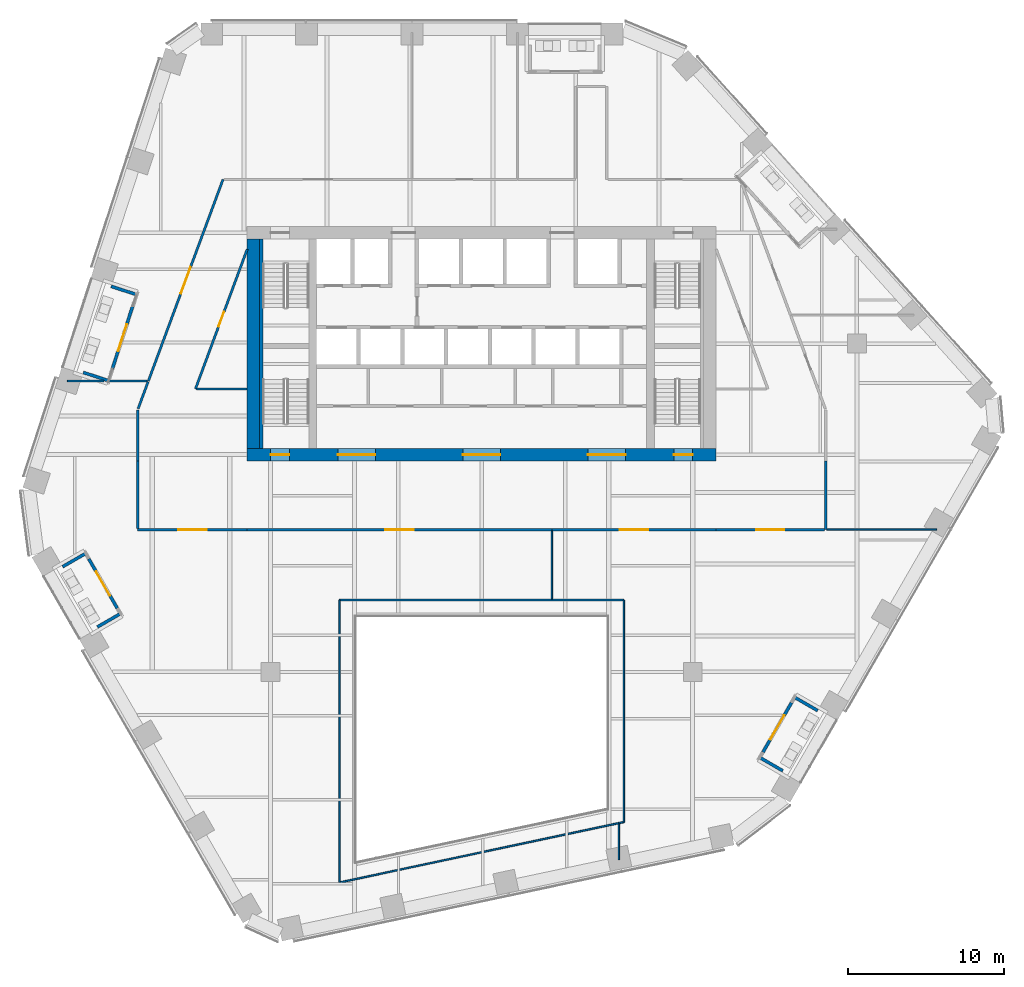
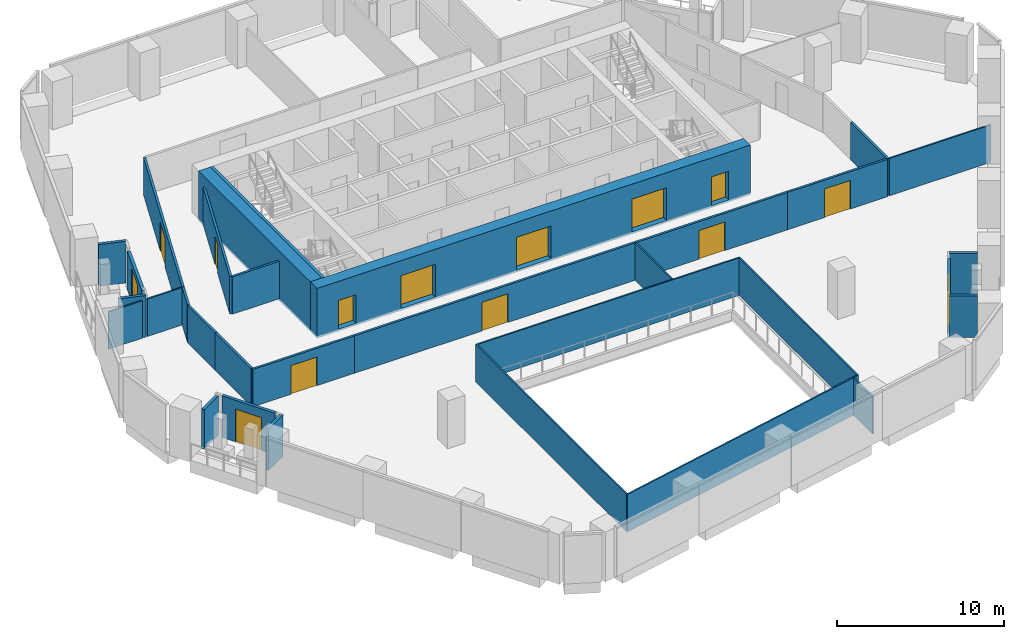
# One storey, part 17 of 24: 32 walls, 14 doors, 14 openings.
"""IFC4 building model written with IfcOpenShell, lengths in metres."""

from ifc_helpers import new_model, si_unit, direction, frame, frame_2d, origin, place, context, subcontext, project, spatial, rectangle, extrude, material, layer, layer_set, type_object, element, fill, save


model = new_model("IFC4")

# Units and contexts
model_context = context("Model", 3, precision=1e-05, world=origin(), true_north=direction((0.0, 1.0)))
body_context = subcontext(model_context, "Body", "Model", "MODEL_VIEW")
ifc_project = project(units=[si_unit("LENGTHUNIT", "METRE"), si_unit("AREAUNIT", "SQUARE_METRE"), si_unit("VOLUMEUNIT", "CUBIC_METRE"), si_unit("PLANEANGLEUNIT", "RADIAN"), si_unit("MASSUNIT", "GRAM", prefix="KILO")], contexts=[model_context])

# Site, building, storey
site_placement = place(None, origin())
site = spatial("IfcSite", under=ifc_project, at=site_placement, CompositionType="ELEMENT")
building_placement = place(site_placement, origin())
building = spatial("IfcBuilding", under=site, at=building_placement, Name="Isthmus Gate Tower", CompositionType="ELEMENT")
storey_placement = place(building_placement, frame((0.0, 0.0, 159.0)))
storey = spatial("IfcBuildingStorey", under=building, at=storey_placement, Name="L39", CompositionType="ELEMENT", Elevation=159.0)

# Walls
ifc_material_1 = material(Name="Fire-rated laminated glass in steel frame", Category="steel")
ifc_layer_1 = layer(ifc_material_1, 0.10009765625)
ifc_layer_set_1 = layer_set([ifc_layer_1], Name="ATRIUM SCREEN GLAZED WALL 100 120 MIN")
wall_type_1 = type_object("IfcWallType", Name="ATRIUM SCREEN GLAZED WALL 100 120 MIN", PredefinedType="PARTITIONING", material=ifc_layer_set_1)
wall_1_placement = place(storey_placement, frame((-9.10009765625, -8.89990234375, 0.0), z_axis=(0.0, 0.0, 1.0), x_axis=(1.0, 0.0, 0.0)))
element("IfcWall", 1, at=wall_1_placement, inside=storey, type_object=wall_type_1, Name="L39 atrium screen", PredefinedType="PARTITIONING", context=body_context, shape_type="SweptSolid", body=[
    extrude(rectangle(XDim=18.2001953125, YDim=0.10009765625, at=frame_2d((9.10009765625, 0.0))), origin(), (0.0, 0.0, 1.0), 2.7412109375),
])
wall_2_placement = place(storey_placement, frame((9.10009765625, -8.89990234375, 0.0), z_axis=(0.0, 0.0, 1.0), x_axis=(0.0, -1.0, 0.0)))
element("IfcWall", 2, at=wall_2_placement, inside=storey, type_object=wall_type_1, Name="L39 atrium screen", PredefinedType="PARTITIONING", context=body_context, shape_type="SweptSolid", body=[
    extrude(rectangle(XDim=14.200927734375, YDim=0.10009765625, at=frame_2d((7.1005859375, 0.0))), origin(), (0.0, 0.0, 1.0), 2.7412109375),
])
wall_3_placement = place(storey_placement, frame((9.10009765625, -23.100830078125, 0.0), z_axis=(0.0, 0.0, 1.0), x_axis=(-0.978146710971, -0.207915876778, 0.0)))
element("IfcWall", 3, at=wall_3_placement, inside=storey, type_object=wall_type_1, Name="L39 atrium screen", PredefinedType="PARTITIONING", context=body_context, shape_type="SweptSolid", body=[
    extrude(rectangle(XDim=18.60693359375, YDim=0.10009765625, at=frame_2d((9.303466796875, 0.0))), origin(), (0.0, 0.0, 1.0), 2.7412109375),
])
wall_4_placement = place(storey_placement, frame((-9.10009765625, -26.969482421875, 0.0), z_axis=(0.0, 0.0, 1.0), x_axis=(0.0, 1.0, 0.0)))
element("IfcWall", 4, at=wall_4_placement, inside=storey, type_object=wall_type_1, Name="L39 atrium screen", PredefinedType="PARTITIONING", context=body_context, shape_type="SweptSolid", body=[
    extrude(rectangle(XDim=18.069580078125, YDim=0.10009765625, at=frame_2d((9.03466796875, 0.0))), origin(), (0.0, 0.0, 1.0), 2.7412109375),
])

# Wall, opening, door
ifc_material_2 = material(Name="Gypsum board on steel studs, fire-rated", Category="steel")
ifc_layer_2 = layer(ifc_material_2, 0.14990234375)
ifc_layer_set_2 = layer_set([ifc_layer_2], Name="CORRIDOR WALL 150 60 MIN")
wall_type_2 = type_object("IfcWallType", Name="CORRIDOR WALL 150 60 MIN", PredefinedType="PARTITIONING", material=ifc_layer_set_2)
wall_5_placement = place(storey_placement, frame((4.4951171875, -4.39990234375, 0.0), z_axis=(0.0, 0.0, 1.0), x_axis=(-1.0, 0.0, 0.0)))
wall_5 = element("IfcWall", 5, at=wall_5_placement, inside=storey, type_object=wall_type_2, Name="L39 Corridor Wall 150 60 Min", PredefinedType="PARTITIONING", context=body_context, shape_type="SweptSolid", body=[
    extrude(rectangle(XDim=19.4951171875, YDim=0.14990234375, at=frame_2d((9.74755859375, 0.0))), origin(), (0.0, 0.0, 1.0), 2.7412109375),
])
opening_1_placement = place(wall_5_placement, frame((8.847412109375, 0.0, 0.0)))
opening_1 = element("IfcOpeningElement", 6, at=opening_1_placement, cuts=wall_5, Name="Opening DT-T3D-09", PredefinedType="OPENING", context=body_context, shape_type="SweptSolid", body=[
    extrude(rectangle(XDim=1.800048828125, YDim=2.10009765625, at=frame_2d((0.89990234375, 1.050048828125))), frame((0.0, 0.0849609375, 0.0), z_axis=(0.0, -1.0, 0.0), x_axis=(1.0, 0.0, 0.0)), (0.0, 0.0, 1.0), 0.169921875),
])
ifc_material_3 = material(Name="Solid core timber door leaf, fire-rated", Category="wood")
door_type_1 = type_object("IfcDoorType", Name="FIRE DOOR ROOM 1800 X 2100 60 MIN", OperationType="DOUBLE_DOOR_DOUBLE_SWING", PredefinedType="DOOR", material=ifc_material_3)
door_1_placement = place(opening_1_placement, origin())
door_1 = element("IfcDoor", 7, at=door_1_placement, inside=storey, type_object=door_type_1, Name="L39 room door", OperationType="DOUBLE_DOOR_DOUBLE_SWING", OverallHeight=2.10009765625, OverallWidth=1.800048828125, PredefinedType="DOOR", context=body_context, shape_type="SweptSolid", body=[
    extrude(rectangle(XDim=1.800048828125, YDim=2.10009765625, at=frame_2d((0.89990234375, 1.050048828125))), frame((0.0, 0.02490234375, 0.0), z_axis=(0.0, -1.0, 0.0), x_axis=(1.0, 0.0, 0.0)), (0.0, 0.0, 1.0), 0.050048828125),
])
fill(opening_1, door_1)

wall_6_placement = place(storey_placement, frame((15.0, -4.39990234375, 0.0), z_axis=(0.0, 0.0, 1.0), x_axis=(-1.0, 0.0, 0.0)))
wall_6 = element("IfcWall", 8, at=wall_6_placement, inside=storey, type_object=wall_type_2, Name="L39 Corridor Wall 150 60 Min", PredefinedType="PARTITIONING", context=body_context, shape_type="SweptSolid", body=[
    extrude(rectangle(XDim=10.5048828125, YDim=0.14990234375, at=frame_2d((5.25244140625, 0.0))), origin(), (0.0, 0.0, 1.0), 2.7412109375),
])
opening_2_placement = place(wall_6_placement, frame((4.3525390625, 0.0, 0.0)))
opening_2 = element("IfcOpeningElement", 9, at=opening_2_placement, cuts=wall_6, Name="Opening DT-T3D-11", PredefinedType="OPENING", context=body_context, shape_type="SweptSolid", body=[
    extrude(rectangle(XDim=1.800048828125, YDim=2.10009765625, at=frame_2d((0.89990234375, 1.050048828125))), frame((0.0, 0.0849609375, 0.0), z_axis=(0.0, -1.0, 0.0), x_axis=(1.0, 0.0, 0.0)), (0.0, 0.0, 1.0), 0.169921875),
])
door_2_placement = place(opening_2_placement, origin())
door_2 = element("IfcDoor", 10, at=door_2_placement, inside=storey, type_object=door_type_1, Name="L39 room door", OperationType="DOUBLE_DOOR_DOUBLE_SWING", OverallHeight=2.10009765625, OverallWidth=1.800048828125, PredefinedType="DOOR", context=body_context, shape_type="SweptSolid", body=[
    extrude(rectangle(XDim=1.800048828125, YDim=2.10009765625, at=frame_2d((0.89990234375, 1.050048828125))), frame((0.0, 0.02490234375, 0.0), z_axis=(0.0, -1.0, 0.0), x_axis=(1.0, 0.0, 0.0)), (0.0, 0.0, 1.0), 0.050048828125),
])
fill(opening_2, door_2)

# Wall
wall_7_placement = place(storey_placement, frame((22.0, 0.0, 0.0), z_axis=(0.0, 0.0, 1.0), x_axis=(0.0, -1.0, 0.0)))
element("IfcWall", 11, at=wall_7_placement, inside=storey, type_object=wall_type_2, Name="L39 Corridor Wall 150 60 Min", PredefinedType="PARTITIONING", context=body_context, shape_type="SweptSolid", body=[
    extrude(rectangle(XDim=4.39990234375, YDim=0.14990234375, at=frame_2d((2.199951171875, 0.0))), origin(), (0.0, 0.0, 1.0), 2.7412109375),
])

# Wall, opening, door
wall_8_placement = place(storey_placement, frame((21.925048828125, -4.39990234375, 0.0), z_axis=(0.0, 0.0, 1.0), x_axis=(-1.0, 0.0, 0.0)))
wall_8 = element("IfcWall", 12, at=wall_8_placement, inside=storey, type_object=wall_type_2, Name="L39 Corridor Wall 150 60 Min", PredefinedType="PARTITIONING", context=body_context, shape_type="SweptSolid", body=[
    extrude(rectangle(XDim=6.925048828125, YDim=0.14990234375, at=frame_2d((3.46240234375, 0.0))), origin(), (0.0, 0.0, 1.0), 2.7412109375),
])
opening_3_placement = place(wall_8_placement, frame((2.5625, 0.0, 0.0)))
opening_3 = element("IfcOpeningElement", 13, at=opening_3_placement, cuts=wall_8, Name="Opening DT-T3D-12", PredefinedType="OPENING", context=body_context, shape_type="SweptSolid", body=[
    extrude(rectangle(XDim=1.800048828125, YDim=2.10009765625, at=frame_2d((0.89990234375, 1.050048828125))), frame((0.0, 0.0849609375, 0.0), z_axis=(0.0, -1.0, 0.0), x_axis=(1.0, 0.0, 0.0)), (0.0, 0.0, 1.0), 0.169921875),
])
door_3_placement = place(opening_3_placement, origin())
door_3 = element("IfcDoor", 14, at=door_3_placement, inside=storey, type_object=door_type_1, Name="L39 room door", OperationType="DOUBLE_DOOR_DOUBLE_SWING", OverallHeight=2.10009765625, OverallWidth=1.800048828125, PredefinedType="DOOR", context=body_context, shape_type="SweptSolid", body=[
    extrude(rectangle(XDim=1.800048828125, YDim=2.10009765625, at=frame_2d((0.89990234375, 1.050048828125))), frame((0.0, 0.02490234375, 0.0), z_axis=(0.0, -1.0, 0.0), x_axis=(1.0, 0.0, 0.0)), (0.0, 0.0, 1.0), 0.050048828125),
])
fill(opening_3, door_3)

wall_9_placement = place(storey_placement, frame((-15.0, -4.39990234375, 0.0), z_axis=(0.0, 0.0, 1.0), x_axis=(-1.0, 0.0, 0.0)))
wall_9 = element("IfcWall", 15, at=wall_9_placement, inside=storey, type_object=wall_type_2, Name="L39 Corridor Wall 150 60 Min", PredefinedType="PARTITIONING", context=body_context, shape_type="SweptSolid", body=[
    extrude(rectangle(XDim=7.0, YDim=0.14990234375, at=frame_2d((3.5, 0.0))), origin(), (0.0, 0.0, 1.0), 2.7412109375),
])
opening_4_placement = place(wall_9_placement, frame((2.60009765625, 0.0, 0.0)))
opening_4 = element("IfcOpeningElement", 16, at=opening_4_placement, cuts=wall_9, Name="Opening DT-T3D-10", PredefinedType="OPENING", context=body_context, shape_type="SweptSolid", body=[
    extrude(rectangle(XDim=1.800048828125, YDim=2.10009765625, at=frame_2d((0.89990234375, 1.050048828125))), frame((0.0, 0.0849609375, 0.0), z_axis=(0.0, -1.0, 0.0), x_axis=(1.0, 0.0, 0.0)), (0.0, 0.0, 1.0), 0.169921875),
])
door_4_placement = place(opening_4_placement, origin())
door_4 = element("IfcDoor", 17, at=door_4_placement, inside=storey, type_object=door_type_1, Name="L39 room door", OperationType="DOUBLE_DOOR_DOUBLE_SWING", OverallHeight=2.10009765625, OverallWidth=1.800048828125, PredefinedType="DOOR", context=body_context, shape_type="SweptSolid", body=[
    extrude(rectangle(XDim=1.800048828125, YDim=2.10009765625, at=frame_2d((0.89990234375, 1.050048828125))), frame((0.0, 0.02490234375, 0.0), z_axis=(0.0, -1.0, 0.0), x_axis=(1.0, 0.0, 0.0)), (0.0, 0.0, 1.0), 0.050048828125),
])
fill(opening_4, door_4)

wall_10_placement = place(storey_placement, frame((-15.0, 13.531005859375, 0.0), z_axis=(0.0, 0.0, 1.0), x_axis=(-0.347347751601, -0.937736391241, 0.0)))
wall_10 = element("IfcWall", 18, at=wall_10_placement, inside=storey, type_object=wall_type_2, Name="L39 Corridor Wall 150 60 Min", PredefinedType="PARTITIONING", context=body_context, shape_type="SweptSolid", body=[
    extrude(rectangle(XDim=9.52392578125, YDim=0.14990234375, at=frame_2d((4.761962890625, 0.0))), origin(), (0.0, 0.0, 1.0), 2.7412109375),
])
opening_5_placement = place(wall_10_placement, frame((4.261962890625, 0.0, 0.0)))
opening_5 = element("IfcOpeningElement", 19, at=opening_5_placement, cuts=wall_10, Name="Opening DT-T3D-06", PredefinedType="OPENING", context=body_context, shape_type="SweptSolid", body=[
    extrude(rectangle(XDim=1.0, YDim=2.10009765625, at=frame_2d((0.5, 1.050048828125))), frame((0.0, 0.0849609375, 0.0), z_axis=(0.0, -1.0, 0.0), x_axis=(1.0, 0.0, 0.0)), (0.0, 0.0, 1.0), 0.169921875),
])
ifc_material_4 = material(Name="Solid core timber door leaf, fire-rated", Category="wood")
door_type_2 = type_object("IfcDoorType", Name="FIRE DOOR ROOM 1000 X 2100 60 MIN", OperationType="SINGLE_SWING_LEFT", PredefinedType="DOOR", material=ifc_material_4)
door_5_placement = place(opening_5_placement, origin())
door_5 = element("IfcDoor", 20, at=door_5_placement, inside=storey, type_object=door_type_2, Name="L39 room door", OperationType="SINGLE_SWING_RIGHT", OverallHeight=2.10009765625, OverallWidth=1.0, PredefinedType="DOOR", context=body_context, shape_type="SweptSolid", body=[
    extrude(rectangle(XDim=1.0, YDim=2.10009765625, at=frame_2d((0.5, 1.050048828125))), frame((0.0, 0.02490234375, 0.0), z_axis=(0.0, -1.0, 0.0), x_axis=(1.0, 0.0, 0.0)), (0.0, 0.0, 1.0), 0.050048828125),
])
fill(opening_5, door_5)

wall_11_placement = place(storey_placement, frame((-21.318115234375, 5.111083984375, 0.0), z_axis=(0.0, 0.0, 1.0), x_axis=(0.347346173898, 0.937736975638, 0.0)))
wall_11 = element("IfcWall", 21, at=wall_11_placement, inside=storey, type_object=wall_type_2, Name="L39 Corridor Wall 150 60 Min", PredefinedType="PARTITIONING", context=body_context, shape_type="SweptSolid", body=[
    extrude(rectangle(XDim=13.74462890625, YDim=0.14990234375, at=frame_2d((6.872314453125, 0.0))), origin(), (0.0, 0.0, 1.0), 2.7412109375),
])
opening_6_placement = place(wall_11_placement, frame((5.972412109375, 0.0, 0.0)))
opening_6 = element("IfcOpeningElement", 22, at=opening_6_placement, cuts=wall_11, Name="Opening DT-T3D-03", PredefinedType="OPENING", context=body_context, shape_type="SweptSolid", body=[
    extrude(rectangle(XDim=1.800048828125, YDim=2.10009765625, at=frame_2d((0.89990234375, 1.050048828125))), frame((0.0, 0.0849609375, 0.0), z_axis=(0.0, -1.0, 0.0), x_axis=(1.0, 0.0, 0.0)), (0.0, 0.0, 1.0), 0.169921875),
])
door_6_placement = place(opening_6_placement, origin())
door_6 = element("IfcDoor", 23, at=door_6_placement, inside=storey, type_object=door_type_1, Name="L39 room door", OperationType="DOUBLE_DOOR_DOUBLE_SWING", OverallHeight=2.10009765625, OverallWidth=1.800048828125, PredefinedType="DOOR", context=body_context, shape_type="SweptSolid", body=[
    extrude(rectangle(XDim=1.800048828125, YDim=2.10009765625, at=frame_2d((0.89990234375, 1.050048828125))), frame((0.0, 0.02490234375, 0.0), z_axis=(0.0, -1.0, 0.0), x_axis=(1.0, 0.0, 0.0)), (0.0, 0.0, 1.0), 0.050048828125),
])
fill(opening_6, door_6)

# Walls
wall_12_placement = place(storey_placement, frame((-18.22802734375, 4.60009765625, 0.0), z_axis=(0.0, 0.0, 1.0), x_axis=(1.0, 0.0, 0.0)))
element("IfcWall", 24, at=wall_12_placement, inside=storey, type_object=wall_type_2, Name="L39 Corridor Wall 150 60 Min", PredefinedType="PARTITIONING", context=body_context, shape_type="SweptSolid", body=[
    extrude(rectangle(XDim=3.22802734375, YDim=0.14990234375, at=frame_2d((1.614013671875, 0.0))), origin(), (0.0, 0.0, 1.0), 2.7412109375),
])
wall_13_placement = place(storey_placement, frame((-22.0, -4.324951171875, 0.0), z_axis=(0.0, 0.0, 1.0), x_axis=(0.0, 1.0, 0.0)))
element("IfcWall", 25, at=wall_13_placement, inside=storey, type_object=wall_type_2, Name="L39 Corridor Wall 150 60 Min", PredefinedType="PARTITIONING", context=body_context, shape_type="SweptSolid", body=[
    extrude(rectangle(XDim=4.324951171875, YDim=0.14990234375, at=frame_2d((2.16259765625, 0.0))), origin(), (0.0, 0.0, 1.0), 2.7412109375),
])
wall_14_placement = place(storey_placement, frame((-22.0, 0.0, 0.0), z_axis=(0.0, 0.0, 1.0), x_axis=(0.0, 1.0, 0.0)))
element("IfcWall", 26, at=wall_14_placement, inside=storey, type_object=wall_type_2, Name="L39 Corridor Wall 150 60 Min", PredefinedType="PARTITIONING", context=body_context, shape_type="SweptSolid", body=[
    extrude(rectangle(XDim=3.26904296875, YDim=0.14990234375, at=frame_2d((1.634521484375, 0.0))), origin(), (0.0, 0.0, 1.0), 2.7412109375),
])
wall_15_placement = place(storey_placement, frame((-21.97412109375, 3.33935546875, 0.0), z_axis=(0.0, 0.0, 1.0), x_axis=(0.347236538536, 0.93777757827, 0.0)))
element("IfcWall", 27, at=wall_15_placement, inside=storey, type_object=wall_type_2, Name="L39 Corridor Wall 150 60 Min", PredefinedType="PARTITIONING", context=body_context, shape_type="SweptSolid", body=[
    extrude(rectangle(XDim=1.83935546875, YDim=0.14990234375, at=frame_2d((0.919677734375, 0.0))), origin(), (0.0, 0.0, 1.0), 2.7412109375),
])

# Wall, opening, door
ifc_material_5 = material(Name="Precast concrete C40/50", Category="concrete")
ifc_layer_3 = layer(ifc_material_5, 0.199951171875)
ifc_layer_set_3 = layer_set([ifc_layer_3], Name="LOGGIA WALL 200")
wall_type_3 = type_object("IfcWallType", Name="LOGGIA WALL 200", PredefinedType="SOLIDWALL", material=ifc_layer_set_3)
wall_16_placement = place(storey_placement, frame((-22.327392578125, 9.881591796875, 0.0), z_axis=(0.0, 0.0, 1.0), x_axis=(-0.30901640812, -0.951056706781, 0.0)))
wall_16 = element("IfcWall", 28, at=wall_16_placement, inside=storey, type_object=wall_type_3, Name="LOGGIA BACK WALL", PredefinedType="SOLIDWALL", context=body_context, shape_type="SweptSolid", body=[
    extrude(rectangle(XDim=4.199951171875, YDim=0.199951171875, at=frame_2d((2.10009765625, 0.0))), origin(), (0.0, 0.0, 1.0), 2.820556640625),
])
opening_7_placement = place(wall_16_placement, frame((1.199951171875, 0.0, 0.0)))
opening_7 = element("IfcOpeningElement", 29, at=opening_7_placement, cuts=wall_16, Name="Opening DE39-02", PredefinedType="OPENING", context=body_context, shape_type="SweptSolid", body=[
    extrude(rectangle(XDim=1.800048828125, YDim=2.39990234375, at=frame_2d((0.89990234375, 1.199951171875))), frame((0.0, 0.10986328125, 0.0), z_axis=(0.0, -1.0, 0.0), x_axis=(1.0, 0.0, 0.0)), (0.0, 0.0, 1.0), 0.219970703125),
])
ifc_material_6 = material(Name="Aluminium, pale champagne anodised, laminated glass", Category="aluminium")
door_type_3 = type_object("IfcDoorType", Name="LOGGIA DOOR SLIDING 1800 X 2400", OperationType="DOUBLE_DOOR_SLIDING", PredefinedType="DOOR", material=ifc_material_6)
door_7_placement = place(opening_7_placement, origin())
door_7 = element("IfcDoor", 30, at=door_7_placement, inside=storey, type_object=door_type_3, Name="DOOR DE39-02", OperationType="SINGLE_SWING_LEFT", OverallHeight=2.39990234375, OverallWidth=1.800048828125, PredefinedType="DOOR", context=body_context, shape_type="SweptSolid", body=[
    extrude(rectangle(XDim=1.800048828125, YDim=2.39990234375, at=frame_2d((0.89990234375, 1.199951171875))), frame((0.0, 0.02490234375, 0.0), z_axis=(0.0, -1.0, 0.0), x_axis=(1.0, 0.0, 0.0)), (0.0, 0.0, 1.0), 0.050048828125),
])
fill(opening_7, door_7)

# Walls
wall_17_placement = place(storey_placement, frame((-23.6982421875, 11.163330078125, 0.0), z_axis=(0.0, 0.0, 1.0), x_axis=(0.951076677115, -0.308954938862, 0.0)))
element("IfcWall", 31, at=wall_17_placement, inside=storey, type_object=wall_type_3, Name="LOGGIA SIDE WALL", PredefinedType="SOLIDWALL", context=body_context, shape_type="SweptSolid", body=[
    extrude(rectangle(XDim=1.683837890625, YDim=0.199951171875, at=frame_2d((0.841796875, 0.0))), origin(), (0.0, 0.0, 1.0), 3.050048828125),
])
wall_18_placement = place(storey_placement, frame((-25.48779296875, 5.656005859375, 0.0), z_axis=(0.0, 0.0, 1.0), x_axis=(0.951034068731, -0.309086072338, 0.0)))
element("IfcWall", 32, at=wall_18_placement, inside=storey, type_object=wall_type_3, Name="LOGGIA SIDE WALL", PredefinedType="SOLIDWALL", context=body_context, shape_type="SweptSolid", body=[
    extrude(rectangle(XDim=1.68408203125, YDim=0.199951171875, at=frame_2d((0.842041015625, 0.0))), origin(), (0.0, 0.0, 1.0), 3.050048828125),
])

# Wall, opening, door
wall_19_placement = place(storey_placement, frame((-25.13330078125, -6.267822265625, 0.0), z_axis=(0.0, 0.0, 1.0), x_axis=(0.499973348067, -0.866040790738, 0.0)))
wall_19 = element("IfcWall", 33, at=wall_19_placement, inside=storey, type_object=wall_type_3, Name="LOGGIA BACK WALL", PredefinedType="SOLIDWALL", context=body_context, shape_type="SweptSolid", body=[
    extrude(rectangle(XDim=3.650146484375, YDim=0.199951171875, at=frame_2d((1.8251953125, 0.0))), origin(), (0.0, 0.0, 1.0), 3.050048828125),
])
opening_8_placement = place(wall_19_placement, frame((0.925048828125, 0.0, 0.0)))
opening_8 = element("IfcOpeningElement", 34, at=opening_8_placement, cuts=wall_19, Name="Opening DE39-03", PredefinedType="OPENING", context=body_context, shape_type="SweptSolid", body=[
    extrude(rectangle(XDim=1.800048828125, YDim=2.39990234375, at=frame_2d((0.89990234375, 1.199951171875))), frame((0.0, 0.10986328125, 0.0), z_axis=(0.0, -1.0, 0.0), x_axis=(1.0, 0.0, 0.0)), (0.0, 0.0, 1.0), 0.219970703125),
])
door_8_placement = place(opening_8_placement, origin())
door_8 = element("IfcDoor", 35, at=door_8_placement, inside=storey, type_object=door_type_3, Name="DOOR DE39-03", OperationType="SINGLE_SWING_LEFT", OverallHeight=2.39990234375, OverallWidth=1.800048828125, PredefinedType="DOOR", context=body_context, shape_type="SweptSolid", body=[
    extrude(rectangle(XDim=1.800048828125, YDim=2.39990234375, at=frame_2d((0.89990234375, 1.199951171875))), frame((0.0, 0.02490234375, 0.0), z_axis=(0.0, -1.0, 0.0), x_axis=(1.0, 0.0, 0.0)), (0.0, 0.0, 1.0), 0.050048828125),
])
fill(opening_8, door_8)

# Walls
wall_20_placement = place(storey_placement, frame((-26.8056640625, -6.771484375, 0.0), z_axis=(0.0, 0.0, 1.0), x_axis=(0.866031085144, 0.499990159468, 0.0)))
element("IfcWall", 36, at=wall_20_placement, inside=storey, type_object=wall_type_3, Name="LOGGIA SIDE WALL", PredefinedType="SOLIDWALL", context=body_context, shape_type="SweptSolid", body=[
    extrude(rectangle(XDim=1.68408203125, YDim=0.199951171875, at=frame_2d((0.842041015625, 0.0))), origin(), (0.0, 0.0, 1.0), 2.896728515625),
])
wall_21_placement = place(storey_placement, frame((-24.58056640625, -10.625244140625, 0.0), z_axis=(0.0, 0.0, 1.0), x_axis=(0.866093854468, 0.499881421193, 0.0)))
element("IfcWall", 37, at=wall_21_placement, inside=storey, type_object=wall_type_3, Name="LOGGIA SIDE WALL", PredefinedType="SOLIDWALL", context=body_context, shape_type="SweptSolid", body=[
    extrude(rectangle(XDim=1.68408203125, YDim=0.199951171875, at=frame_2d((0.842041015625, 0.0))), origin(), (0.0, 0.0, 1.0), 3.050048828125),
])

# Wall, opening, door
wall_22_placement = place(storey_placement, frame((17.994873046875, -18.632080078125, 0.0), z_axis=(0.0, 0.0, 1.0), x_axis=(0.499973348067, 0.866040790738, 0.0)))
wall_22 = element("IfcWall", 38, at=wall_22_placement, inside=storey, type_object=wall_type_3, Name="LOGGIA BACK WALL", PredefinedType="SOLIDWALL", context=body_context, shape_type="SweptSolid", body=[
    extrude(rectangle(XDim=3.650146484375, YDim=0.199951171875, at=frame_2d((1.8251953125, 0.0))), origin(), (0.0, 0.0, 1.0), 2.89990234375),
])
opening_9_placement = place(wall_22_placement, frame((0.925048828125, 0.0, 0.0)))
opening_9 = element("IfcOpeningElement", 39, at=opening_9_placement, cuts=wall_22, Name="Opening DE39-04", PredefinedType="OPENING", context=body_context, shape_type="SweptSolid", body=[
    extrude(rectangle(XDim=1.800048828125, YDim=2.39990234375, at=frame_2d((0.89990234375, 1.199951171875))), frame((0.0, 0.10986328125, 0.0), z_axis=(0.0, -1.0, 0.0), x_axis=(1.0, 0.0, 0.0)), (0.0, 0.0, 1.0), 0.219970703125),
])
door_9_placement = place(opening_9_placement, origin())
door_9 = element("IfcDoor", 40, at=door_9_placement, inside=storey, type_object=door_type_3, Name="DOOR DE39-04", OperationType="SINGLE_SWING_LEFT", OverallHeight=2.39990234375, OverallWidth=1.800048828125, PredefinedType="DOOR", context=body_context, shape_type="SweptSolid", body=[
    extrude(rectangle(XDim=1.800048828125, YDim=2.39990234375, at=frame_2d((0.89990234375, 1.199951171875))), frame((0.0, 0.02490234375, 0.0), z_axis=(0.0, -1.0, 0.0), x_axis=(1.0, 0.0, 0.0)), (0.0, 0.0, 1.0), 0.050048828125),
])
fill(opening_9, door_9)

# Walls
wall_23_placement = place(storey_placement, frame((19.26708984375, -19.82861328125, 0.0), z_axis=(0.0, 0.0, 1.0), x_axis=(-0.866031085144, 0.499990159468, 0.0)))
element("IfcWall", 41, at=wall_23_placement, inside=storey, type_object=wall_type_3, Name="LOGGIA SIDE WALL", PredefinedType="SOLIDWALL", context=body_context, shape_type="SweptSolid", body=[
    extrude(rectangle(XDim=1.68408203125, YDim=0.199951171875, at=frame_2d((0.842041015625, 0.0))), origin(), (0.0, 0.0, 1.0), 3.050048828125),
])
wall_24_placement = place(storey_placement, frame((21.491943359375, -15.974609375, 0.0), z_axis=(0.0, 0.0, 1.0), x_axis=(-0.865994838069, 0.500052937636, 0.0)))
element("IfcWall", 42, at=wall_24_placement, inside=storey, type_object=wall_type_3, Name="LOGGIA SIDE WALL", PredefinedType="SOLIDWALL", context=body_context, shape_type="SweptSolid", body=[
    extrude(rectangle(XDim=1.683837890625, YDim=0.199951171875, at=frame_2d((0.841796875, 0.0))), origin(), (0.0, 0.0, 1.0), 3.050048828125),
])

# Wall, openings, doors
ifc_material_7 = material(Name="Concrete f'c 60 MPa", Category="concrete")
ifc_layer_4 = layer(ifc_material_7, 0.800048828125)
ifc_layer_set_4 = layer_set([ifc_layer_4], Name="RC CORE WALL 800 F'C 60")
wall_type_4 = type_object("IfcWallType", Name="RC CORE WALL 800 F'C 60", PredefinedType="SOLIDWALL", material=ifc_layer_set_4)
wall_25_placement = place(storey_placement, frame((-15.0, 0.39990234375, -0.14990234375), z_axis=(0.0, 0.0, 1.0), x_axis=(1.0, 0.0, 0.0)))
wall_25 = element("IfcWall", 43, at=wall_25_placement, inside=storey, type_object=wall_type_4, Name="str-corewall-L39-S", PredefinedType="SOLIDWALL", context=body_context, shape_type="SweptSolid", body=[
    extrude(rectangle(XDim=30.0, YDim=0.800048828125, at=frame_2d((15.0, 0.0))), origin(), (0.0, 0.0, 1.0), 3.64990234375),
])
opening_10_placement = place(wall_25_placement, frame((5.800048828125, 0.0, 0.14990234375)))
opening_10 = element("IfcOpeningElement", 44, at=opening_10_placement, cuts=wall_25, Name="Opening DC-A10-10", PredefinedType="OPENING", context=body_context, shape_type="SweptSolid", body=[
    extrude(rectangle(XDim=2.39990234375, YDim=2.39990234375, at=frame_2d((1.199951171875, 1.199951171875))), frame((0.0, 0.409912109375, 0.0), z_axis=(0.0, -1.0, 0.0), x_axis=(1.0, 0.0, 0.0)), (0.0, 0.0, 1.0), 0.820068359375),
])
opening_11_placement = place(wall_25_placement, frame((13.800048828125, 0.0, 0.14990234375)))
opening_11 = element("IfcOpeningElement", 45, at=opening_11_placement, cuts=wall_25, Name="Opening DC-A10-11", PredefinedType="OPENING", context=body_context, shape_type="SweptSolid", body=[
    extrude(rectangle(XDim=2.39990234375, YDim=2.39990234375, at=frame_2d((1.199951171875, 1.199951171875))), frame((0.0, 0.409912109375, 0.0), z_axis=(0.0, -1.0, 0.0), x_axis=(1.0, 0.0, 0.0)), (0.0, 0.0, 1.0), 0.820068359375),
])
opening_12_placement = place(wall_25_placement, frame((21.800048828125, 0.0, 0.14990234375)))
opening_12 = element("IfcOpeningElement", 46, at=opening_12_placement, cuts=wall_25, Name="Opening DC-A10-12", PredefinedType="OPENING", context=body_context, shape_type="SweptSolid", body=[
    extrude(rectangle(XDim=2.39990234375, YDim=2.39990234375, at=frame_2d((1.199951171875, 1.199951171875))), frame((0.0, 0.409912109375, 0.0), z_axis=(0.0, -1.0, 0.0), x_axis=(1.0, 0.0, 0.0)), (0.0, 0.0, 1.0), 0.820068359375),
])
opening_13_placement = place(wall_25_placement, frame((1.5, 0.0, 0.14990234375)))
opening_13 = element("IfcOpeningElement", 47, at=opening_13_placement, cuts=wall_25, Name="Opening DC-A10-17", PredefinedType="OPENING", context=body_context, shape_type="SweptSolid", body=[
    extrude(rectangle(XDim=1.199951171875, YDim=2.10009765625, at=frame_2d((0.60009765625, 1.050048828125))), frame((0.0, 0.409912109375, 0.0), z_axis=(0.0, -1.0, 0.0), x_axis=(1.0, 0.0, 0.0)), (0.0, 0.0, 1.0), 0.820068359375),
])
opening_14_placement = place(wall_25_placement, frame((27.300048828125, 0.0, 0.14990234375)))
opening_14 = element("IfcOpeningElement", 48, at=opening_14_placement, cuts=wall_25, Name="Opening DC-A10-18", PredefinedType="OPENING", context=body_context, shape_type="SweptSolid", body=[
    extrude(rectangle(XDim=1.199951171875, YDim=2.10009765625, at=frame_2d((0.60009765625, 1.050048828125))), frame((0.0, 0.409912109375, 0.0), z_axis=(0.0, -1.0, 0.0), x_axis=(1.0, 0.0, 0.0)), (0.0, 0.0, 1.0), 0.820068359375),
])
ifc_material_8 = material(Name="Laminated safety glass in steel frame, fire-rated", Category="steel")
door_type_4 = type_object("IfcDoorType", Name="LOBBY ENTRANCE FIRE DOOR 2400 X 2400 60 MIN", OperationType="DOUBLE_DOOR_DOUBLE_SWING", PredefinedType="DOOR", material=ifc_material_8)
door_10_placement = place(opening_10_placement, origin())
door_10 = element("IfcDoor", 49, at=door_10_placement, inside=storey, type_object=door_type_4, Name="Lobby Entrance PS-W", OperationType="DOUBLE_DOOR_DOUBLE_SWING", OverallHeight=2.39990234375, OverallWidth=2.39990234375, PredefinedType="DOOR", context=body_context, shape_type="SweptSolid", body=[
    extrude(rectangle(XDim=2.39990234375, YDim=2.39990234375, at=frame_2d((1.199951171875, 1.199951171875))), frame((0.0, 0.02490234375, 0.0), z_axis=(0.0, -1.0, 0.0), x_axis=(1.0, 0.0, 0.0)), (0.0, 0.0, 1.0), 0.050048828125),
])
fill(opening_10, door_10)
door_11_placement = place(opening_11_placement, origin())
door_11 = element("IfcDoor", 50, at=door_11_placement, inside=storey, type_object=door_type_4, Name="Lobby Entrance PS-C", OperationType="DOUBLE_DOOR_DOUBLE_SWING", OverallHeight=2.39990234375, OverallWidth=2.39990234375, PredefinedType="DOOR", context=body_context, shape_type="SweptSolid", body=[
    extrude(rectangle(XDim=2.39990234375, YDim=2.39990234375, at=frame_2d((1.199951171875, 1.199951171875))), frame((0.0, 0.02490234375, 0.0), z_axis=(0.0, -1.0, 0.0), x_axis=(1.0, 0.0, 0.0)), (0.0, 0.0, 1.0), 0.050048828125),
])
fill(opening_11, door_11)
door_12_placement = place(opening_12_placement, origin())
door_12 = element("IfcDoor", 51, at=door_12_placement, inside=storey, type_object=door_type_4, Name="Lobby Entrance PS-E", OperationType="DOUBLE_DOOR_DOUBLE_SWING", OverallHeight=2.39990234375, OverallWidth=2.39990234375, PredefinedType="DOOR", context=body_context, shape_type="SweptSolid", body=[
    extrude(rectangle(XDim=2.39990234375, YDim=2.39990234375, at=frame_2d((1.199951171875, 1.199951171875))), frame((0.0, 0.02490234375, 0.0), z_axis=(0.0, -1.0, 0.0), x_axis=(1.0, 0.0, 0.0)), (0.0, 0.0, 1.0), 0.050048828125),
])
fill(opening_12, door_12)
ifc_material_9 = material(Name="Steel door leaf, fire-rated", Category="steel")
door_type_5 = type_object("IfcDoorType", Name="STAIR FIRE DOOR 1200 X 2100 90 MIN", OperationType="SINGLE_SWING_LEFT", PredefinedType="DOOR", material=ifc_material_9)
door_13_placement = place(opening_13_placement, origin())
door_13 = element("IfcDoor", 52, at=door_13_placement, inside=storey, type_object=door_type_5, Name="Exit Stair 7 Door", OperationType="SINGLE_SWING_LEFT", OverallHeight=2.10009765625, OverallWidth=1.199951171875, PredefinedType="DOOR", context=body_context, shape_type="SweptSolid", body=[
    extrude(rectangle(XDim=1.199951171875, YDim=2.10009765625, at=frame_2d((0.60009765625, 1.050048828125))), frame((0.0, 0.02490234375, 0.0), z_axis=(0.0, -1.0, 0.0), x_axis=(1.0, 0.0, 0.0)), (0.0, 0.0, 1.0), 0.050048828125),
])
fill(opening_13, door_13)
door_14_placement = place(opening_14_placement, origin())
door_14 = element("IfcDoor", 53, at=door_14_placement, inside=storey, type_object=door_type_5, Name="Exit Stair 8 Door", OperationType="SINGLE_SWING_RIGHT", OverallHeight=2.10009765625, OverallWidth=1.199951171875, PredefinedType="DOOR", context=body_context, shape_type="SweptSolid", body=[
    extrude(rectangle(XDim=1.199951171875, YDim=2.10009765625, at=frame_2d((0.60009765625, 1.050048828125))), frame((0.0, 0.02490234375, 0.0), z_axis=(0.0, -1.0, 0.0), x_axis=(1.0, 0.0, 0.0)), (0.0, 0.0, 1.0), 0.050048828125),
])
fill(opening_14, door_14)

# Walls
wall_26_placement = place(storey_placement, frame((-14.60009765625, 0.800048828125, -0.14990234375), z_axis=(0.0, 0.0, 1.0), x_axis=(0.0, 1.0, 0.0)))
element("IfcWall", 54, at=wall_26_placement, inside=storey, type_object=wall_type_4, Name="str-corewall-L39-W", PredefinedType="SOLIDWALL", context=body_context, shape_type="SweptSolid", body=[
    extrude(rectangle(XDim=13.39990234375, YDim=0.800048828125, at=frame_2d((6.699951171875, 0.0))), origin(), (0.0, 0.0, 1.0), 3.64990234375),
])
ifc_material_10 = material(Name="Gypsum board on steel studs, fire-rated", Category="steel")
ifc_layer_5 = layer(ifc_material_10, 0.10009765625)
ifc_layer_set_5 = layer_set([ifc_layer_5], Name="ROOM PARTITION 100 30 MIN")
wall_type_5 = type_object("IfcWallType", Name="ROOM PARTITION 100 30 MIN", PredefinedType="PARTITIONING", material=ifc_layer_set_5)
wall_27_placement = place(storey_placement, frame((-26.506103515625, 5.111083984375, 0.0), z_axis=(0.0, 0.0, 1.0), x_axis=(1.0, 0.0, 0.0)))
element("IfcWall", 55, at=wall_27_placement, inside=storey, type_object=wall_type_5, Name="L39 Room Partition 100 30 Min", PredefinedType="PARTITIONING", context=body_context, shape_type="SweptSolid", body=[
    extrude(rectangle(XDim=2.342041015625, YDim=0.10009765625, at=frame_2d((1.1708984375, 0.0))), origin(), (0.0, 0.0, 1.0), 2.7412109375),
])
wall_28_placement = place(storey_placement, frame((-23.83056640625, 5.111083984375, 0.0), z_axis=(0.0, 0.0, 1.0), x_axis=(1.0, 0.0, 0.0)))
element("IfcWall", 56, at=wall_28_placement, inside=storey, type_object=wall_type_5, Name="L39 Room Partition 100 30 Min", PredefinedType="PARTITIONING", context=body_context, shape_type="SweptSolid", body=[
    extrude(rectangle(XDim=2.4375, YDim=0.10009765625, at=frame_2d((1.21875, 0.0))), origin(), (0.0, 0.0, 1.0), 2.7412109375),
])
wall_29_placement = place(storey_placement, frame((22.074951171875, -4.402099609375, 0.0), z_axis=(0.0, 0.0, 1.0), x_axis=(1.0, 0.0, 0.0)))
element("IfcWall", 57, at=wall_29_placement, inside=storey, type_object=wall_type_5, Name="L39 Room Partition 100 30 Min", PredefinedType="PARTITIONING", context=body_context, shape_type="SweptSolid", body=[
    extrude(rectangle(XDim=7.02197265625, YDim=0.10009765625, at=frame_2d((3.510986328125, 0.0))), origin(), (0.0, 0.0, 1.0), 2.7412109375),
])
wall_30_placement = place(storey_placement, frame((4.4951171875, -8.85009765625, 0.0), z_axis=(0.0, 0.0, 1.0), x_axis=(0.0, 1.0, 0.0)))
element("IfcWall", 58, at=wall_30_placement, inside=storey, type_object=wall_type_5, Name="L39 Room Partition 100 30 Min", PredefinedType="PARTITIONING", context=body_context, shape_type="SweptSolid", body=[
    extrude(rectangle(XDim=4.375, YDim=0.10009765625, at=frame_2d((2.1875, 0.0))), origin(), (0.0, 0.0, 1.0), 2.7412109375),
])
wall_31_placement = place(storey_placement, frame((8.77392578125, -25.52197265625, 0.0), z_axis=(0.0, 0.0, 1.0), x_axis=(0.0, 1.0, 0.0)))
element("IfcWall", 59, at=wall_31_placement, inside=storey, type_object=wall_type_5, Name="L39 Room Partition 100 30 Min", PredefinedType="PARTITIONING", context=body_context, shape_type="SweptSolid", body=[
    extrude(rectangle(XDim=2.301025390625, YDim=0.10009765625, at=frame_2d((1.150390625, 0.0))), origin(), (0.0, 0.0, 1.0), 2.7412109375),
])
ifc_material_11 = material(Name="Concrete f'c 40 MPa", Category="concrete")
ifc_layer_6 = layer(ifc_material_11, 0.199951171875)
ifc_layer_set_6 = layer_set([ifc_layer_6], Name="STAIR ENCLOSURE WALL 200 180 MIN")
wall_type_6 = type_object("IfcWallType", Name="STAIR ENCLOSURE WALL 200 180 MIN", PredefinedType="SOLIDWALL", material=ifc_layer_set_6)
wall_32_placement = place(storey_placement, frame((-14.10009765625, 0.800048828125, 0.0), z_axis=(0.0, 0.0, 1.0), x_axis=(0.0, 1.0, 0.0)))
element("IfcWall", 60, at=wall_32_placement, inside=storey, type_object=wall_type_6, Name="L39 STAIR ENCLOSURE WALL 200 180 MIN", PredefinedType="SOLIDWALL", context=body_context, shape_type="SweptSolid", body=[
    extrude(rectangle(XDim=13.39990234375, YDim=0.199951171875, at=frame_2d((6.699951171875, 0.0))), origin(), (0.0, 0.0, 1.0), 3.5),
])

save(model, "model.ifc")
